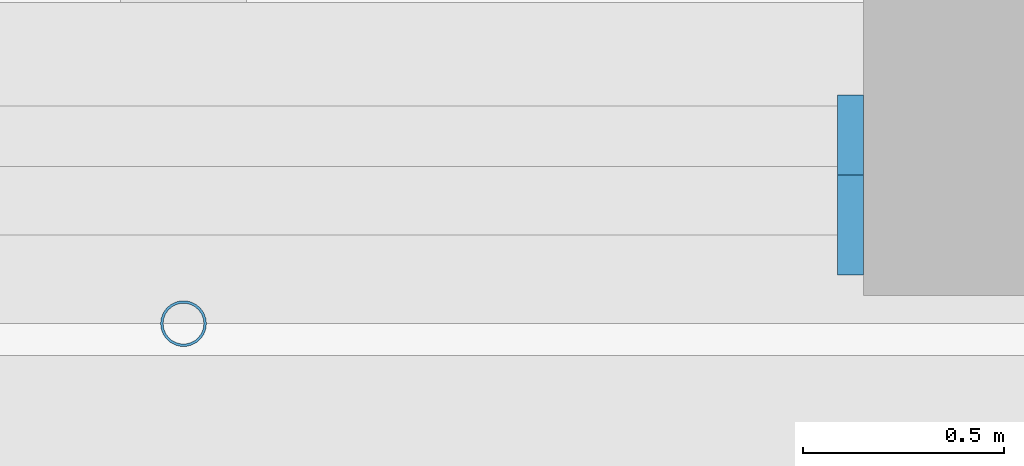
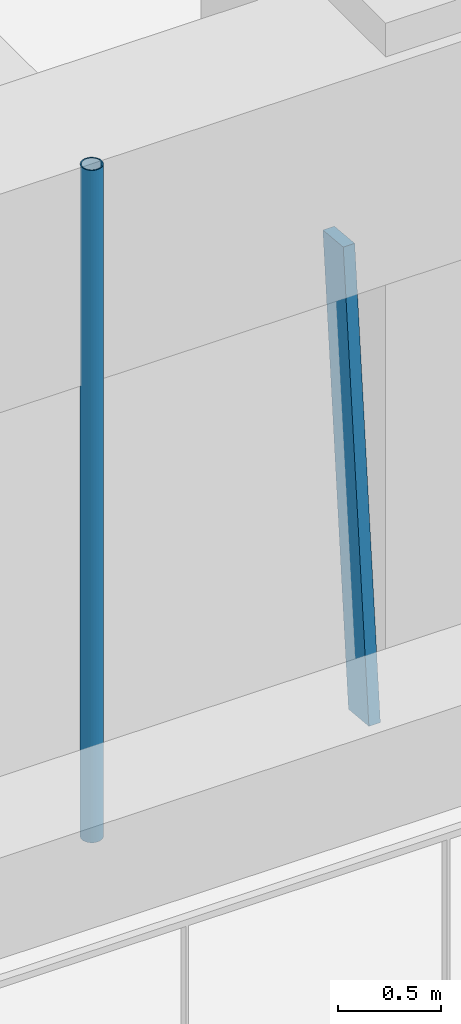
# One storey, part 4 of 23: 2 members, 1 element without a shape of its own.
"""IFC4 building model written with IfcOpenShell, lengths in metres."""

from ifc_helpers import new_model, si_unit, direction, frame, origin, origin_2d, place, context, subcontext, project, spatial, rectangle, hollow_circle, extrude, material, material_profile, profile_set, type_object, element, aggregate, save


model = new_model("IFC4")

# Units and contexts
model_context = context("Model", 3, precision=1e-05, world=origin(), true_north=direction((0.0, 1.0)))
body_context = subcontext(model_context, "Body", "Model", "MODEL_VIEW")
ifc_project = project(units=[si_unit("LENGTHUNIT", "METRE"), si_unit("AREAUNIT", "SQUARE_METRE"), si_unit("VOLUMEUNIT", "CUBIC_METRE"), si_unit("PLANEANGLEUNIT", "RADIAN"), si_unit("MASSUNIT", "GRAM", prefix="KILO")], contexts=[model_context])

# Site, building, storey
site_placement = place(None, origin())
site = spatial("IfcSite", under=ifc_project, at=site_placement, CompositionType="ELEMENT")
building_placement = place(site_placement, origin())
building = spatial("IfcBuilding", under=site, at=building_placement, Name="Tarfa Lantern Tower", CompositionType="ELEMENT")
storey_placement = place(building_placement, frame((0.0, 0.0, 61.300048828125)))
storey = spatial("IfcBuildingStorey", under=building, at=storey_placement, Name="L13", CompositionType="ELEMENT", Elevation=61.300048828125)

# Curtain wall, member
ifc_material_1 = material(Name="Aluminium framed curtain wall", Category="aluminium")
curtain_wall_type = type_object("IfcCurtainWallType", Name="CW1 CANTED GLAZING LOW ZONE 2700", PredefinedType="USERDEFINED", material=ifc_material_1)
curtain_wall_placement = place(storey_placement, origin())
curtain_wall = element("IfcCurtainWall", 1, at=curtain_wall_placement, inside=storey, type_object=curtain_wall_type, Name="CW1 S L13", ObjectType="CURTAIN WALL", PredefinedType="USERDEFINED")
ifc_material_2 = material(Name="Aluminium mullion", Category="aluminium")
ifc_material_profile_1 = material_profile(ifc_material_2, rectangle(XDim=0.06494140625, YDim=0.199951171875, at=origin_2d()), Name="AL MULLION 65x200")
ifc_profile_set_1 = profile_set([ifc_material_profile_1], Name="Aluminium mullion")
member_type_1 = type_object("IfcMemberType", Name="CWM1 MULLION 65x200", PredefinedType="MULLION", material=ifc_profile_set_1)
member_1_placement = place(storey_placement, frame((9.74462890625, -33.89990234375, 0.0), z_axis=(0.0, 0.092199863775, 0.995740520979), x_axis=(-1.0, 0.0, 0.0)))
member_1 = element("IfcMember", 2, at=member_1_placement, type_object=member_type_1, Name="CW1 mullion 2", PredefinedType="MULLION", context=body_context, shape_type="SweptSolid", body=[
    extrude(rectangle(XDim=0.06494140625, YDim=0.199951171875, at=origin_2d()), origin(), (0.0, 0.0, 1.0), 2.71142578125),
])
aggregate(curtain_wall, [member_1])

# Member
ifc_material_3 = material(Name="Steel S355", Category="steel")
ifc_material_profile_2 = material_profile(ifc_material_3, hollow_circle(Radius=0.05712890625, WallThickness=0.00634765625, at=origin_2d()), Name="CHS114.3x6.3")
ifc_profile_set_2 = profile_set([ifc_material_profile_2], Name="Steel S355")
member_type_2 = type_object("IfcMemberType", Name="TR1 GREEN WALL TRELLIS CHS114.3x6.3", PredefinedType="USERDEFINED", material=ifc_profile_set_2)
member_2_placement = place(storey_placement, frame((8.0830078125, -34.1201171875, 0.0), z_axis=(0.0, 0.0, 1.0), x_axis=(1.0, 0.0, 0.0)))
element("IfcMember", 3, at=member_2_placement, inside=storey, type_object=member_type_2, Name="Trellis post S 2", ObjectType="TRELLIS", PredefinedType="USERDEFINED", context=body_context, shape_type="SweptSolid", body=[
    extrude(hollow_circle(Radius=0.05712890625, WallThickness=0.00634765625, at=origin_2d()), origin(), (0.0, 0.0, 1.0), 4.0),
])

save(model, "model.ifc")
